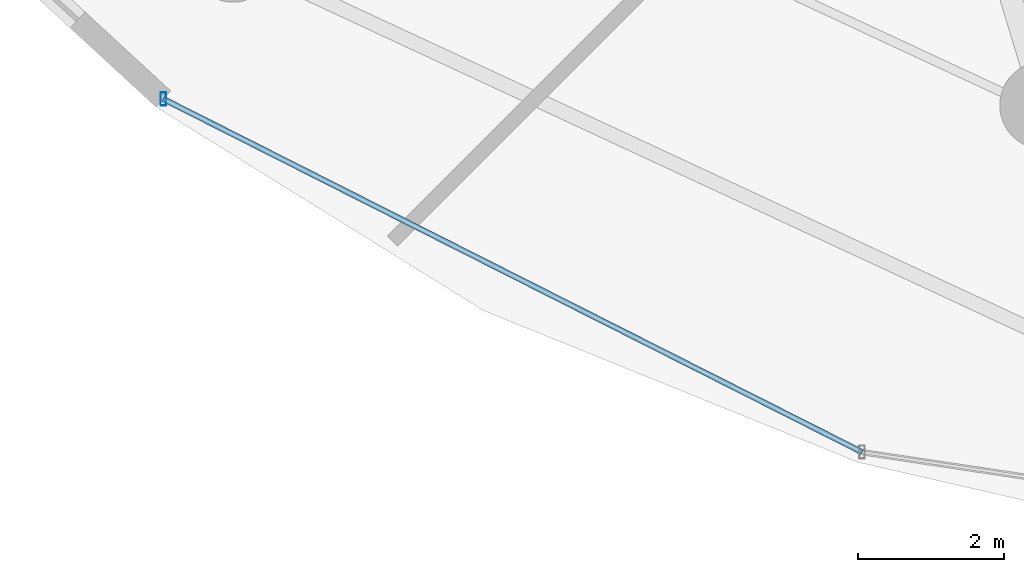
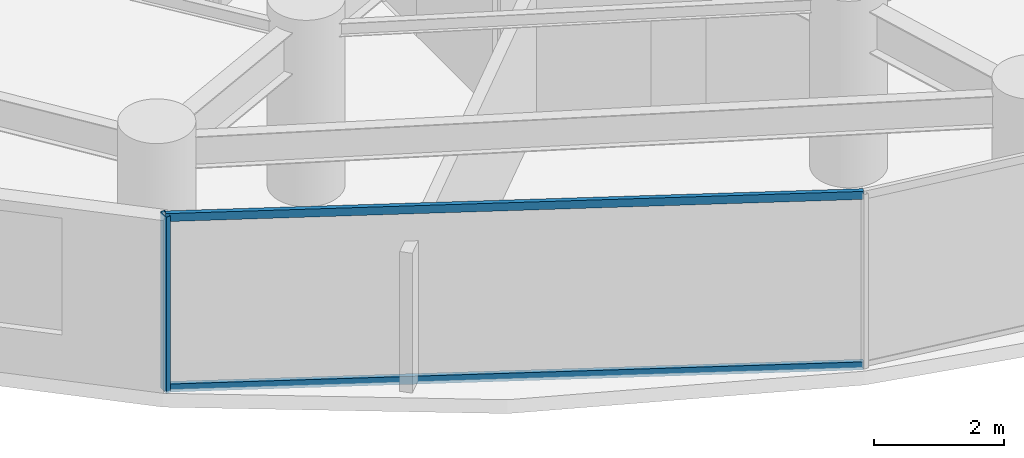
# One storey, part 2 of 35: 3 members, 1 element without a shape of its own.
"""IFC4 building model written with IfcOpenShell, lengths in metres."""

from ifc_helpers import new_model, si_unit, direction, frame, origin, origin_2d, place, context, subcontext, project, spatial, hollow_rectangle, extrude, material, material_profile, profile_set, type_object, element, aggregate, save


model = new_model("IFC4")

# Units and contexts
model_context = context("Model", 3, precision=1e-05, world=origin(), true_north=direction((0.0, 1.0)))
body_context = subcontext(model_context, "Body", "Model", "MODEL_VIEW")
ifc_project = project(units=[si_unit("LENGTHUNIT", "METRE"), si_unit("AREAUNIT", "SQUARE_METRE"), si_unit("VOLUMEUNIT", "CUBIC_METRE"), si_unit("PLANEANGLEUNIT", "RADIAN"), si_unit("MASSUNIT", "GRAM", prefix="KILO")], contexts=[model_context])

# Site, building, storey
site_placement = place(None, origin())
site = spatial("IfcSite", under=ifc_project, at=site_placement, CompositionType="ELEMENT")
building_placement = place(site_placement, origin())
building = spatial("IfcBuilding", under=site, at=building_placement, Name="Vorneva Point Tower", CompositionType="ELEMENT")
storey_placement = place(building_placement, frame((0.0, 0.0, 48.5)))
storey = spatial("IfcBuildingStorey", under=building, at=storey_placement, Name="L12", CompositionType="ELEMENT", Elevation=48.5)

# Curtain wall, members
ifc_material = material(Name="Pale anodised aluminium", Category="aluminium")
curtain_wall_type = type_object("IfcCurtainWallType", Name="CW-HTL-SYS", PredefinedType="NOTDEFINED", material=ifc_material)
curtain_wall_placement = place(storey_placement, origin())
curtain_wall = element("IfcCurtainWall", 1, at=curtain_wall_placement, inside=storey, type_object=curtain_wall_type, Name="L12 Unitised Curtain Wall CW-L12-R04", PredefinedType="NOTDEFINED")
ifc_material_profile_1 = material_profile(ifc_material, hollow_rectangle(XDim=0.074951171875, YDim=0.179931640625, WallThickness=0.00390625, at=origin_2d()), Name="AL-MUL 180x75x4")
ifc_profile_set_1 = profile_set([ifc_material_profile_1], Name="Pale anodised aluminium")
member_type_1 = type_object("IfcMemberType", Name="CW-MUL-180", PredefinedType="MULLION", material=ifc_profile_set_1)
member_1_placement = place(storey_placement, frame((17.10498046875, 10.1962890625, -0.0400390625), z_axis=(0.0, 0.0, 1.0), x_axis=(1.0, 0.0, 0.0)))
member_1 = element("IfcMember", 2, at=member_1_placement, type_object=member_type_1, Name="CW-L12-R04 Mullion 01", PredefinedType="MULLION", context=body_context, shape_type="SweptSolid", body=[
    extrude(hollow_rectangle(XDim=0.074951171875, YDim=0.179931640625, WallThickness=0.00390625, at=origin_2d()), origin(), (0.0, 0.0, 1.0), 3.31005859375),
])
ifc_material_profile_2 = material_profile(ifc_material, hollow_rectangle(XDim=0.074951171875, YDim=0.14990234375, WallThickness=0.00390625, at=origin_2d()), Name="AL-TRN 150x75x4")
ifc_profile_set_2 = profile_set([ifc_material_profile_2], Name="Pale anodised aluminium")
member_type_2 = type_object("IfcMemberType", Name="CW-TRN-150", PredefinedType="USERDEFINED", material=ifc_profile_set_2)
member_2_placement = place(storey_placement, frame((17.10498046875, 10.1962890625, 0.02001953125), z_axis=(0.892496057621, -0.451055192999, 0.0), x_axis=(0.451055192999, 0.892496057621, 0.0)))
member_2 = element("IfcMember", 3, at=member_2_placement, type_object=member_type_2, Name="CW-L12-R04 Transom 01.1", ObjectType="TRANSOM", PredefinedType="USERDEFINED", context=body_context, shape_type="SweptSolid", body=[
    extrude(hollow_rectangle(XDim=0.074951171875, YDim=0.14990234375, WallThickness=0.00390625, at=origin_2d()), origin(), (0.0, 0.0, 1.0), 10.741455078125),
])
member_3_placement = place(storey_placement, frame((17.10498046875, 10.1962890625, 3.219970703125), z_axis=(0.892496057621, -0.451055192999, 0.0), x_axis=(0.451055192999, 0.892496057621, 0.0)))
member_3 = element("IfcMember", 4, at=member_3_placement, type_object=member_type_2, Name="CW-L12-R04 Transom 01.2", ObjectType="TRANSOM", PredefinedType="USERDEFINED", context=body_context, shape_type="SweptSolid", body=[
    extrude(hollow_rectangle(XDim=0.074951171875, YDim=0.14990234375, WallThickness=0.00390625, at=origin_2d()), origin(), (0.0, 0.0, 1.0), 10.741455078125),
])
aggregate(curtain_wall, [member_1, member_2, member_3])

save(model, "model.ifc")
